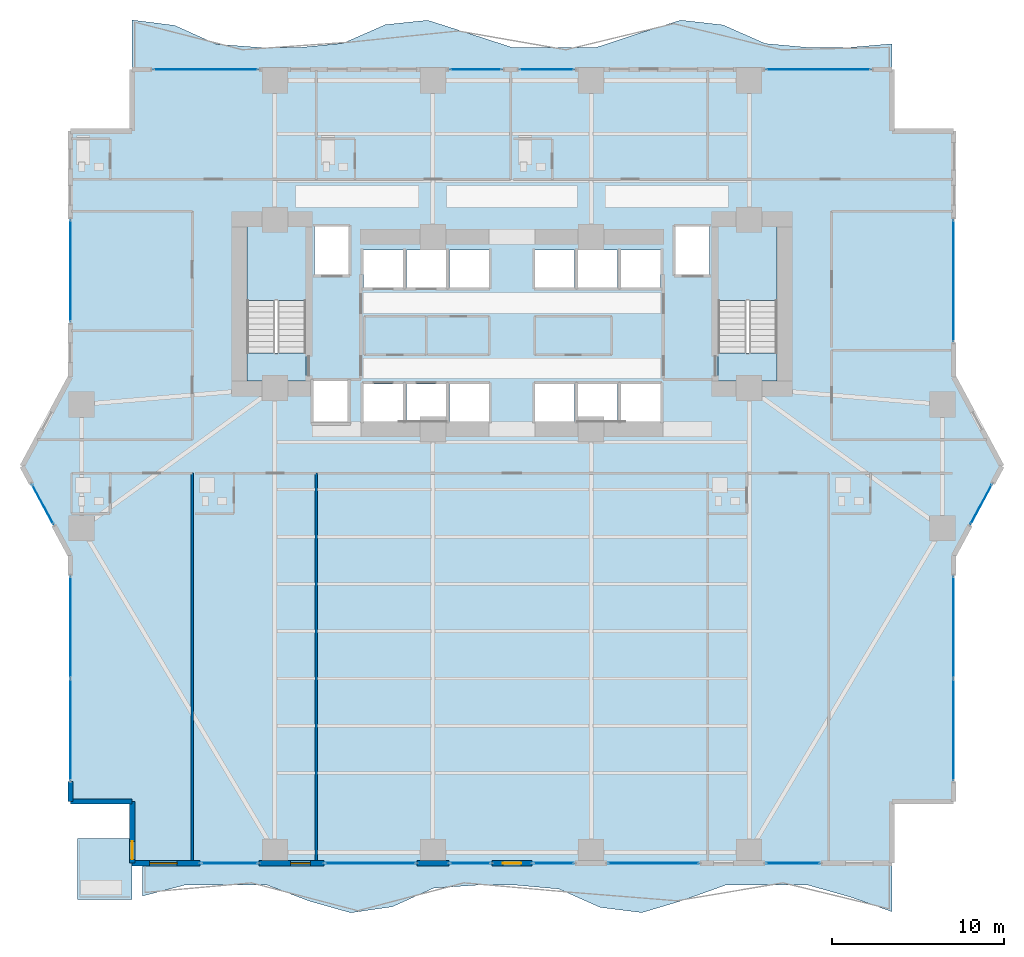
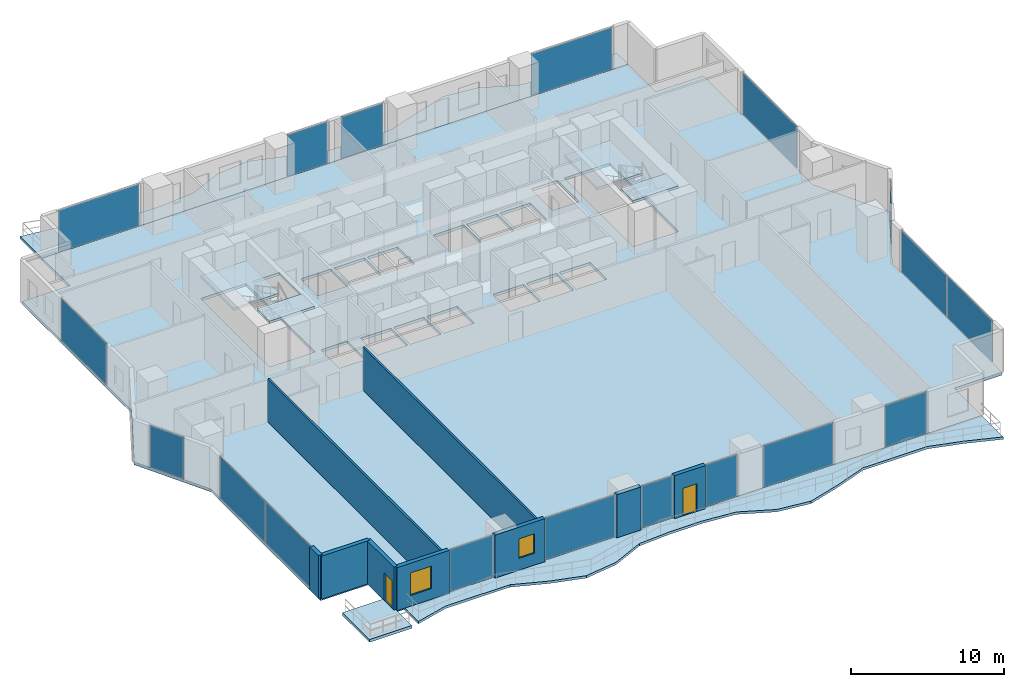
# One storey, part 18 of 28: 18 plates, 9 walls, 8 slabs, 2 doors, 2 windows, 4 openings, 18 elements without a shape of their own.
"""IFC4 building model written with IfcOpenShell, lengths in metres."""

from ifc_helpers import new_model, si_unit, direction, frame, frame_2d, origin, origin_2d, place, context, subcontext, project, spatial, polyline, rectangle, outline, extrude, material, layer, layer_set, type_object, element, fill, aggregate, save


model = new_model("IFC4")

# Units and contexts
model_context = context("Model", 3, precision=1e-05, world=origin(), true_north=direction((0.0, 1.0)))
body_context = subcontext(model_context, "Body", "Model", "MODEL_VIEW")
ifc_project = project(units=[si_unit("LENGTHUNIT", "METRE"), si_unit("AREAUNIT", "SQUARE_METRE"), si_unit("VOLUMEUNIT", "CUBIC_METRE"), si_unit("PLANEANGLEUNIT", "RADIAN"), si_unit("MASSUNIT", "GRAM", prefix="KILO")], contexts=[model_context])

# Site, building, storey
site_placement = place(None, origin())
site = spatial("IfcSite", under=ifc_project, at=site_placement, CompositionType="ELEMENT")
building_placement = place(site_placement, origin())
building = spatial("IfcBuilding", under=site, at=building_placement, Name="Zuhayl Quay Hotel", CompositionType="ELEMENT")
storey_placement = place(building_placement, frame((0.0, 0.0, 78.699951171875)))
storey = spatial("IfcBuildingStorey", under=building, at=storey_placement, Name="L19", CompositionType="ELEMENT", Elevation=78.699951171875)

# Curtain wall, plates
ifc_material_1 = material(Name="Anodised Aluminium 6063-T6", Category="aluminium")
ifc_layer_1 = layer(ifc_material_1, 0.18994140625, Name="Anodised Aluminium 6063-T6", Category="aluminium")
ifc_layer_set_1 = layer_set([ifc_layer_1], Name="Anodised Aluminium 6063-T6")
curtain_wall_type = type_object("IfcCurtainWallType", Name="CW_SYS_Z1", PredefinedType="USERDEFINED", material=ifc_layer_set_1)
curtain_wall_1_placement = place(storey_placement, origin())
curtain_wall_1 = element("IfcCurtainWall", 1, at=curtain_wall_1_placement, inside=storey, type_object=curtain_wall_type, Name="L19 Curtain Wall ENV_L19_E02_CW1", ObjectType="UNITISED CURTAIN WALL", PredefinedType="USERDEFINED")
ifc_material_2 = material(Name="Dark Ceramic-Fritted Solar Glass", Category="glass")
ifc_layer_2 = layer(ifc_material_2, 0.035888671875, Name="Dark Ceramic-Fritted Solar Glass", Category="glass")
ifc_layer_set_2 = layer_set([ifc_layer_2], Name="Dark Ceramic-Fritted Solar Glass")
plate_type = type_object("IfcPlateType", Name="PN_DARK_FRIT_Z1", PredefinedType="CURTAIN_PANEL", material=ifc_layer_set_2)
plate_1_placement = place(storey_placement, frame((-25.699951171875, -15.331298828125, 0.06005859375), z_axis=(0.0, 0.0, 1.0), x_axis=(0.0, 1.0, 0.0)))
plate_1 = element("IfcPlate", 2, at=plate_1_placement, type_object=plate_type, Name="CW-Z1 panel 1.1", PredefinedType="CURTAIN_PANEL", context=body_context, shape_type="SweptSolid", body=[
    extrude(rectangle(XDim=5.887451171875, YDim=0.035888671875, at=origin_2d()), origin(), (0.0, 0.0, 1.0), 3.31005859375),
])
plate_2_placement = place(storey_placement, frame((-25.699951171875, -9.36865234375, 0.06005859375), z_axis=(0.0, 0.0, 1.0), x_axis=(0.0, 1.0, 0.0)))
plate_2 = element("IfcPlate", 3, at=plate_2_placement, type_object=plate_type, Name="CW-Z1 panel 2.1", PredefinedType="CURTAIN_PANEL", context=body_context, shape_type="SweptSolid", body=[
    extrude(rectangle(XDim=5.887451171875, YDim=0.035888671875, at=origin_2d()), origin(), (0.0, 0.0, 1.0), 3.31005859375),
])
aggregate(curtain_wall_1, [plate_1, plate_2])

# Curtain wall, plate
curtain_wall_2_placement = place(storey_placement, origin())
curtain_wall_2 = element("IfcCurtainWall", 4, at=curtain_wall_2_placement, inside=storey, type_object=curtain_wall_type, Name="L19 Curtain Wall ENV_L19_E03_CW1", ObjectType="UNITISED CURTAIN WALL", PredefinedType="USERDEFINED")
plate_3_placement = place(storey_placement, frame((-27.306396484375, -2.216796875, 0.06005859375), z_axis=(0.0, 0.0, 1.0), x_axis=(-0.474091102632, 0.880475795468, 0.0)))
plate_3 = element("IfcPlate", 5, at=plate_3_placement, type_object=plate_type, Name="CW-Z1 panel 1.1", PredefinedType="CURTAIN_PANEL", context=body_context, shape_type="SweptSolid", body=[
    extrude(rectangle(XDim=2.58544921875, YDim=0.035888671875, at=origin_2d()), origin(), (0.0, 0.0, 1.0), 3.31005859375),
])
aggregate(curtain_wall_2, [plate_3])

curtain_wall_3_placement = place(storey_placement, origin())
curtain_wall_3 = element("IfcCurtainWall", 6, at=curtain_wall_3_placement, inside=storey, type_object=curtain_wall_type, Name="L19 Curtain Wall ENV_L19_E05_CW1", ObjectType="UNITISED CURTAIN WALL", PredefinedType="USERDEFINED")
plate_4_placement = place(storey_placement, frame((-25.699951171875, 11.375, 0.06005859375), z_axis=(0.0, 0.0, 1.0), x_axis=(0.0, 1.0, 0.0)))
plate_4 = element("IfcPlate", 7, at=plate_4_placement, type_object=plate_type, Name="CW-Z1 panel 1.1", PredefinedType="CURTAIN_PANEL", context=body_context, shape_type="SweptSolid", body=[
    extrude(rectangle(XDim=5.89990234375, YDim=0.035888671875, at=origin_2d()), origin(), (0.0, 0.0, 1.0), 3.31005859375),
])
aggregate(curtain_wall_3, [plate_4])

curtain_wall_4_placement = place(storey_placement, origin())
curtain_wall_4 = element("IfcCurtainWall", 8, at=curtain_wall_4_placement, inside=storey, type_object=curtain_wall_type, Name="L19 Curtain Wall ENV_L19_N_CW1", ObjectType="UNITISED CURTAIN WALL", PredefinedType="USERDEFINED")
plate_5_placement = place(storey_placement, frame((-17.8349609375, 23.10009765625, 0.06005859375), z_axis=(0.0, 0.0, 1.0), x_axis=(1.0, 0.0, 0.0)))
plate_5 = element("IfcPlate", 9, at=plate_5_placement, type_object=plate_type, Name="CW-Z1 panel 1.1", PredefinedType="CURTAIN_PANEL", context=body_context, shape_type="SweptSolid", body=[
    extrude(rectangle(XDim=6.080078125, YDim=0.035888671875, at=origin_2d()), origin(), (0.0, 0.0, 1.0), 3.31005859375),
])
aggregate(curtain_wall_4, [plate_5])

curtain_wall_5_placement = place(storey_placement, origin())
curtain_wall_5 = element("IfcCurtainWall", 10, at=curtain_wall_5_placement, inside=storey, type_object=curtain_wall_type, Name="L19 Curtain Wall ENV_L19_N_CW2", ObjectType="UNITISED CURTAIN WALL", PredefinedType="USERDEFINED")
plate_6_placement = place(storey_placement, frame((-2.10498046875, 23.10009765625, 0.06005859375), z_axis=(0.0, 0.0, 1.0), x_axis=(1.0, 0.0, 0.0)))
plate_6 = element("IfcPlate", 11, at=plate_6_placement, type_object=plate_type, Name="CW-Z1 panel 1.1", PredefinedType="CURTAIN_PANEL", context=body_context, shape_type="SweptSolid", body=[
    extrude(rectangle(XDim=3.0, YDim=0.035888671875, at=origin_2d()), origin(), (0.0, 0.0, 1.0), 3.31005859375),
])
aggregate(curtain_wall_5, [plate_6])

curtain_wall_6_placement = place(storey_placement, origin())
curtain_wall_6 = element("IfcCurtainWall", 12, at=curtain_wall_6_placement, inside=storey, type_object=curtain_wall_type, Name="L19 Curtain Wall ENV_L19_N_CW3", ObjectType="UNITISED CURTAIN WALL", PredefinedType="USERDEFINED")
plate_7_placement = place(storey_placement, frame((2.02490234375, 23.10009765625, 0.06005859375), z_axis=(0.0, 0.0, 1.0), x_axis=(1.0, 0.0, 0.0)))
plate_7 = element("IfcPlate", 13, at=plate_7_placement, type_object=plate_type, Name="CW-Z1 panel 1.1", PredefinedType="CURTAIN_PANEL", context=body_context, shape_type="SweptSolid", body=[
    extrude(rectangle(XDim=3.159912109375, YDim=0.035888671875, at=origin_2d()), origin(), (0.0, 0.0, 1.0), 3.31005859375),
])
aggregate(curtain_wall_6, [plate_7])

curtain_wall_7_placement = place(storey_placement, origin())
curtain_wall_7 = element("IfcCurtainWall", 14, at=curtain_wall_7_placement, inside=storey, type_object=curtain_wall_type, Name="L19 Curtain Wall ENV_L19_N_CW4", ObjectType="UNITISED CURTAIN WALL", PredefinedType="USERDEFINED")
plate_8_placement = place(storey_placement, frame((17.8349609375, 23.10009765625, 0.06005859375), z_axis=(0.0, 0.0, 1.0), x_axis=(1.0, 0.0, 0.0)))
plate_8 = element("IfcPlate", 15, at=plate_8_placement, type_object=plate_type, Name="CW-Z1 panel 1.1", PredefinedType="CURTAIN_PANEL", context=body_context, shape_type="SweptSolid", body=[
    extrude(rectangle(XDim=6.080078125, YDim=0.035888671875, at=origin_2d()), origin(), (0.0, 0.0, 1.0), 3.31005859375),
])
aggregate(curtain_wall_7, [plate_8])

curtain_wall_8_placement = place(storey_placement, origin())
curtain_wall_8 = element("IfcCurtainWall", 16, at=curtain_wall_8_placement, inside=storey, type_object=curtain_wall_type, Name="L19 Curtain Wall ENV_L19_E11_CW1", ObjectType="UNITISED CURTAIN WALL", PredefinedType="USERDEFINED")
plate_9_placement = place(storey_placement, frame((25.699951171875, 10.800048828125, 0.06005859375), z_axis=(0.0, 0.0, 1.0), x_axis=(0.0, -1.0, 0.0)))
plate_9 = element("IfcPlate", 17, at=plate_9_placement, type_object=plate_type, Name="CW-Z1 panel 1.1", PredefinedType="CURTAIN_PANEL", context=body_context, shape_type="SweptSolid", body=[
    extrude(rectangle(XDim=7.050048828125, YDim=0.035888671875, at=origin_2d()), origin(), (0.0, 0.0, 1.0), 3.31005859375),
])
aggregate(curtain_wall_8, [plate_9])

curtain_wall_9_placement = place(storey_placement, origin())
curtain_wall_9 = element("IfcCurtainWall", 18, at=curtain_wall_9_placement, inside=storey, type_object=curtain_wall_type, Name="L19 Curtain Wall ENV_L19_E13_CW1", ObjectType="UNITISED CURTAIN WALL", PredefinedType="USERDEFINED")
plate_10_placement = place(storey_placement, frame((27.306396484375, -2.216796875, 0.06005859375), z_axis=(0.0, 0.0, 1.0), x_axis=(-0.474091102632, -0.880475795468, 0.0)))
plate_10 = element("IfcPlate", 19, at=plate_10_placement, type_object=plate_type, Name="CW-Z1 panel 1.1", PredefinedType="CURTAIN_PANEL", context=body_context, shape_type="SweptSolid", body=[
    extrude(rectangle(XDim=2.58544921875, YDim=0.035888671875, at=origin_2d()), origin(), (0.0, 0.0, 1.0), 3.31005859375),
])
aggregate(curtain_wall_9, [plate_10])

# Curtain wall, plates
curtain_wall_10_placement = place(storey_placement, origin())
curtain_wall_10 = element("IfcCurtainWall", 20, at=curtain_wall_10_placement, inside=storey, type_object=curtain_wall_type, Name="L19 Curtain Wall ENV_L19_E14_CW1", ObjectType="UNITISED CURTAIN WALL", PredefinedType="USERDEFINED")
plate_11_placement = place(storey_placement, frame((25.699951171875, -9.36865234375, 0.06005859375), z_axis=(0.0, 0.0, 1.0), x_axis=(0.0, -1.0, 0.0)))
plate_11 = element("IfcPlate", 21, at=plate_11_placement, type_object=plate_type, Name="CW-Z1 panel 1.1", PredefinedType="CURTAIN_PANEL", context=body_context, shape_type="SweptSolid", body=[
    extrude(rectangle(XDim=5.887451171875, YDim=0.035888671875, at=origin_2d()), origin(), (0.0, 0.0, 1.0), 3.31005859375),
])
plate_12_placement = place(storey_placement, frame((25.699951171875, -15.331298828125, 0.06005859375), z_axis=(0.0, 0.0, 1.0), x_axis=(0.0, -1.0, 0.0)))
plate_12 = element("IfcPlate", 22, at=plate_12_placement, type_object=plate_type, Name="CW-Z1 panel 2.1", PredefinedType="CURTAIN_PANEL", context=body_context, shape_type="SweptSolid", body=[
    extrude(rectangle(XDim=5.887451171875, YDim=0.035888671875, at=origin_2d()), origin(), (0.0, 0.0, 1.0), 3.31005859375),
])
aggregate(curtain_wall_10, [plate_11, plate_12])

# Curtain wall, plate
curtain_wall_11_placement = place(storey_placement, origin())
curtain_wall_11 = element("IfcCurtainWall", 23, at=curtain_wall_11_placement, inside=storey, type_object=curtain_wall_type, Name="L19 Curtain Wall ENV_L19_S_CW1", ObjectType="UNITISED CURTAIN WALL", PredefinedType="USERDEFINED")
plate_13_placement = place(storey_placement, frame((16.35498046875, -23.10009765625, 0.06005859375), z_axis=(0.0, 0.0, 1.0), x_axis=(-1.0, 0.0, 0.0)))
plate_13 = element("IfcPlate", 24, at=plate_13_placement, type_object=plate_type, Name="CW-Z1 panel 1.1", PredefinedType="CURTAIN_PANEL", context=body_context, shape_type="SweptSolid", body=[
    extrude(rectangle(XDim=3.1201171875, YDim=0.035888671875, at=origin_2d()), origin(), (0.0, 0.0, 1.0), 3.31005859375),
])
aggregate(curtain_wall_11, [plate_13])

curtain_wall_12_placement = place(storey_placement, origin())
curtain_wall_12 = element("IfcCurtainWall", 25, at=curtain_wall_12_placement, inside=storey, type_object=curtain_wall_type, Name="L19 Curtain Wall ENV_L19_S_CW2", ObjectType="UNITISED CURTAIN WALL", PredefinedType="USERDEFINED")
plate_14_placement = place(storey_placement, frame((8.235107421875, -23.10009765625, 0.06005859375), z_axis=(0.0, 0.0, 1.0), x_axis=(-1.0, 0.0, 0.0)))
plate_14 = element("IfcPlate", 26, at=plate_14_placement, type_object=plate_type, Name="CW-Z1 panel 1.1", PredefinedType="CURTAIN_PANEL", context=body_context, shape_type="SweptSolid", body=[
    extrude(rectangle(XDim=5.280029296875, YDim=0.035888671875, at=origin_2d()), origin(), (0.0, 0.0, 1.0), 3.31005859375),
])
aggregate(curtain_wall_12, [plate_14])

curtain_wall_13_placement = place(storey_placement, origin())
curtain_wall_13 = element("IfcCurtainWall", 27, at=curtain_wall_13_placement, inside=storey, type_object=curtain_wall_type, Name="L19 Curtain Wall ENV_L19_S_CW3", ObjectType="UNITISED CURTAIN WALL", PredefinedType="USERDEFINED")
plate_15_placement = place(storey_placement, frame((2.427490234375, -23.10009765625, 0.06005859375), z_axis=(0.0, 0.0, 1.0), x_axis=(-1.0, 0.0, 0.0)))
plate_15 = element("IfcPlate", 28, at=plate_15_placement, type_object=plate_type, Name="CW-Z1 panel 1.1", PredefinedType="CURTAIN_PANEL", context=body_context, shape_type="SweptSolid", body=[
    extrude(rectangle(XDim=2.35498046875, YDim=0.035888671875, at=origin_2d()), origin(), (0.0, 0.0, 1.0), 3.31005859375),
])
aggregate(curtain_wall_13, [plate_15])

curtain_wall_14_placement = place(storey_placement, origin())
curtain_wall_14 = element("IfcCurtainWall", 29, at=curtain_wall_14_placement, inside=storey, type_object=curtain_wall_type, Name="L19 Curtain Wall ENV_L19_S_CW4", ObjectType="UNITISED CURTAIN WALL", PredefinedType="USERDEFINED")
plate_16_placement = place(storey_placement, frame((-2.427490234375, -23.10009765625, 0.06005859375), z_axis=(0.0, 0.0, 1.0), x_axis=(-1.0, 0.0, 0.0)))
plate_16 = element("IfcPlate", 30, at=plate_16_placement, type_object=plate_type, Name="CW-Z1 panel 1.1", PredefinedType="CURTAIN_PANEL", context=body_context, shape_type="SweptSolid", body=[
    extrude(rectangle(XDim=2.35498046875, YDim=0.035888671875, at=origin_2d()), origin(), (0.0, 0.0, 1.0), 3.31005859375),
])
aggregate(curtain_wall_14, [plate_16])

curtain_wall_15_placement = place(storey_placement, origin())
curtain_wall_15 = element("IfcCurtainWall", 31, at=curtain_wall_15_placement, inside=storey, type_object=curtain_wall_type, Name="L19 Curtain Wall ENV_L19_S_CW5", ObjectType="UNITISED CURTAIN WALL", PredefinedType="USERDEFINED")
plate_17_placement = place(storey_placement, frame((-8.235107421875, -23.10009765625, 0.06005859375), z_axis=(0.0, 0.0, 1.0), x_axis=(-1.0, 0.0, 0.0)))
plate_17 = element("IfcPlate", 32, at=plate_17_placement, type_object=plate_type, Name="CW-Z1 panel 1.1", PredefinedType="CURTAIN_PANEL", context=body_context, shape_type="SweptSolid", body=[
    extrude(rectangle(XDim=5.280029296875, YDim=0.035888671875, at=origin_2d()), origin(), (0.0, 0.0, 1.0), 3.31005859375),
])
aggregate(curtain_wall_15, [plate_17])

curtain_wall_16_placement = place(storey_placement, origin())
curtain_wall_16 = element("IfcCurtainWall", 33, at=curtain_wall_16_placement, inside=storey, type_object=curtain_wall_type, Name="L19 Curtain Wall ENV_L19_S_CW6", ObjectType="UNITISED CURTAIN WALL", PredefinedType="USERDEFINED")
plate_18_placement = place(storey_placement, frame((-16.43505859375, -23.10009765625, 0.06005859375), z_axis=(0.0, 0.0, 1.0), x_axis=(-1.0, 0.0, 0.0)))
plate_18 = element("IfcPlate", 34, at=plate_18_placement, type_object=plate_type, Name="CW-Z1 panel 1.1", PredefinedType="CURTAIN_PANEL", context=body_context, shape_type="SweptSolid", body=[
    extrude(rectangle(XDim=3.280029296875, YDim=0.035888671875, at=origin_2d()), origin(), (0.0, 0.0, 1.0), 3.31005859375),
])
aggregate(curtain_wall_16, [plate_18])

# Slabs
ifc_material_3 = material(Name="Concrete C45/55", Category="concrete")
ifc_layer_3 = layer(ifc_material_3, 0.195068359375, Name="Concrete C45/55", Category="concrete")
ifc_layer_set_3 = layer_set([ifc_layer_3], Name="Concrete C45/55")
slab_type_1 = type_object("IfcSlabType", Name="SL_BALCONY_195", PredefinedType="FLOOR", material=ifc_layer_set_3)
slab_1_placement = place(storey_placement, frame((0.0, 0.0, -0.195068359375)))
element("IfcSlab", 35, at=slab_1_placement, inside=storey, type_object=slab_type_1, Name="L19 Exterior Rippling Balcony Slab North", PredefinedType="FLOOR", context=body_context, shape_type="SweptSolid", body=[
    extrude(outline(polyline([(-22.10009765625, 23.10009765625), (22.10009765625, 23.10009765625), (22.10009765625, 24.5869140625), (19.644287109375, 24.3798828125), (17.18896484375, 24.3798828125), (14.7333984375, 24.60302734375), (12.27783203125, 25.686279296875), (9.822265625, 25.964111328125), (7.36669921875, 25.197998046875), (4.9111328125, 24.3798828125), (2.45556640625, 24.3798828125), (0.0, 24.3798828125), (-2.45556640625, 25.177490234375), (-4.9111328125, 25.958740234375), (-7.36669921875, 25.700439453125), (-9.822265625, 24.624755859375), (-12.27783203125, 24.3798828125), (-14.7333984375, 24.3798828125), (-17.18896484375, 24.565185546875), (-19.644287109375, 25.660400390625), (-22.10009765625, 25.97265625), (-22.10009765625, 23.10009765625)])), origin(), (0.0, 0.0, 1.0), 0.195068359375),
])
slab_2_placement = place(storey_placement, frame((0.0, 0.0, -0.195068359375)))
element("IfcSlab", 36, at=slab_2_placement, inside=storey, type_object=slab_type_1, Name="L19 Exterior Rippling Balcony Slab South", PredefinedType="FLOOR", context=body_context, shape_type="SweptSolid", body=[
    extrude(outline(polyline([(-21.5, -25.010009765625), (-19.077880859375, -24.3798828125), (-16.655517578125, -24.3798828125), (-14.2333984375, -24.3798828125), (-11.81103515625, -25.298095703125), (-9.388916015625, -25.98291015625), (-6.966796875, -25.6337890625), (-4.54443359375, -24.543701171875), (-2.122314453125, -24.3798828125), (0.300048828125, -24.3798828125), (2.72216796875, -24.59765625), (5.144287109375, -25.671630859375), (7.566650390625, -25.97265625), (9.989013671875, -25.248291015625), (12.4111328125, -24.3798828125), (14.833251953125, -24.3798828125), (17.255615234375, -24.3798828125), (19.677734375, -25.06298828125), (22.10009765625, -25.9169921875), (22.10009765625, -23.10009765625), (-21.5, -23.10009765625), (-21.5, -25.010009765625)])), origin(), (0.0, 0.0, 1.0), 0.195068359375),
])
ifc_layer_4 = layer(ifc_material_3, 0.219970703125, Name="Concrete C45/55", Category="concrete")
ifc_layer_set_4 = layer_set([ifc_layer_4], Name="Concrete C45/55")
slab_type_2 = type_object("IfcSlabType", Name="SL_FLOOR_220", PredefinedType="FLOOR", material=ifc_layer_set_4)
slab_3_placement = place(storey_placement, frame((0.0, 0.0, -0.219970703125)))
element("IfcSlab", 37, at=slab_3_placement, inside=storey, type_object=slab_type_2, Name="L19 Structural Floor Slab", PredefinedType="FLOOR", context=body_context, shape_type="SweptSolid", body=[
    extrude(outline(polyline([(-22.10009765625, -23.10009765625), (22.10009765625, -23.10009765625), (22.10009765625, -19.5), (25.699951171875, -19.5), (25.699951171875, -5.199951171875), (28.5, 0.0), (25.699951171875, 5.199951171875), (25.699951171875, 19.5), (22.10009765625, 19.5), (22.10009765625, 23.10009765625), (-22.10009765625, 23.10009765625), (-22.10009765625, 19.5), (-25.699951171875, 19.5), (-25.699951171875, 5.199951171875), (-28.5, 0.0), (-25.699951171875, -5.199951171875), (-25.699951171875, -19.5), (-22.10009765625, -19.5), (-22.10009765625, -23.10009765625)]), holes=[polyline([(-12.0, 4.949951171875), (-12.0, 13.949951171875), (-15.429931640625, 13.949951171875), (-15.429931640625, 4.949951171875), (-12.0, 4.949951171875)]), polyline([(15.429931640625, 4.949951171875), (15.429931640625, 13.949951171875), (12.0, 13.949951171875), (12.0, 4.949951171875), (15.429931640625, 4.949951171875)]), polyline([(-11.5, 11.14990234375), (-9.5, 11.14990234375), (-9.5, 13.949951171875), (-11.5, 13.949951171875), (-11.5, 11.14990234375)]), polyline([(9.5, 11.14990234375), (11.5, 11.14990234375), (11.5, 13.949951171875), (9.5, 13.949951171875), (9.5, 11.14990234375)]), polyline([(-8.64990234375, 2.60009765625), (-6.35009765625, 2.60009765625), (-6.35009765625, 4.800048828125), (-8.64990234375, 4.800048828125), (-8.64990234375, 2.60009765625)]), polyline([(-6.14990234375, 2.60009765625), (-3.85009765625, 2.60009765625), (-3.85009765625, 4.800048828125), (-6.14990234375, 4.800048828125), (-6.14990234375, 2.60009765625)]), polyline([(-8.64990234375, 10.39990234375), (-6.35009765625, 10.39990234375), (-6.35009765625, 12.60009765625), (-8.64990234375, 12.60009765625), (-8.64990234375, 10.39990234375)]), polyline([(-6.14990234375, 10.39990234375), (-3.85009765625, 10.39990234375), (-3.85009765625, 12.60009765625), (-6.14990234375, 12.60009765625), (-6.14990234375, 10.39990234375)]), polyline([(-3.64990234375, 2.60009765625), (-1.35009765625, 2.60009765625), (-1.35009765625, 4.800048828125), (-3.64990234375, 4.800048828125), (-3.64990234375, 2.60009765625)]), polyline([(1.35009765625, 2.60009765625), (3.64990234375, 2.60009765625), (3.64990234375, 4.800048828125), (1.35009765625, 4.800048828125), (1.35009765625, 2.60009765625)]), polyline([(-3.64990234375, 10.39990234375), (-1.35009765625, 10.39990234375), (-1.35009765625, 12.60009765625), (-3.64990234375, 12.60009765625), (-3.64990234375, 10.39990234375)]), polyline([(1.35009765625, 10.39990234375), (3.64990234375, 10.39990234375), (3.64990234375, 12.60009765625), (1.35009765625, 12.60009765625), (1.35009765625, 10.39990234375)]), polyline([(3.85009765625, 2.60009765625), (6.14990234375, 2.60009765625), (6.14990234375, 4.800048828125), (3.85009765625, 4.800048828125), (3.85009765625, 2.60009765625)]), polyline([(6.35009765625, 2.60009765625), (8.64990234375, 2.60009765625), (8.64990234375, 4.800048828125), (6.35009765625, 4.800048828125), (6.35009765625, 2.60009765625)]), polyline([(3.85009765625, 10.39990234375), (6.14990234375, 10.39990234375), (6.14990234375, 12.60009765625), (3.85009765625, 12.60009765625), (3.85009765625, 10.39990234375)]), polyline([(6.35009765625, 10.39990234375), (8.64990234375, 10.39990234375), (8.64990234375, 12.60009765625), (6.35009765625, 12.60009765625), (6.35009765625, 10.39990234375)]), polyline([(-11.550048828125, 2.550048828125), (-9.550048828125, 2.550048828125), (-9.550048828125, 4.949951171875), (-11.550048828125, 4.949951171875), (-11.550048828125, 2.550048828125)])]), origin(), (0.0, 0.0, 1.0), 0.219970703125),
])

# Stair, slabs
stair_type = type_object("IfcStairType", Name="ST_DOGLEG_TOWER", PredefinedType="HALF_TURN_STAIR", material=ifc_material_3)
stair_1_placement = place(storey_placement, origin())
stair_1 = element("IfcStair", 38, at=stair_1_placement, inside=storey, type_object=stair_type, Name="L19 Smokeproof Exit Stair ST1", PredefinedType="HALF_TURN_STAIR")
ifc_layer_5 = layer(ifc_material_3, 0.199951171875, Name="Concrete C45/55", Category="concrete")
ifc_layer_set_5 = layer_set([ifc_layer_5], Name="Concrete C45/55")
slab_type_3 = type_object("IfcSlabType", Name="SL_STAIR_LANDING_200", PredefinedType="LANDING", material=ifc_layer_set_5)
slab_4_placement = place(storey_placement, frame((0.0, 0.0, 1.625)))
slab_4 = element("IfcSlab", 39, at=slab_4_placement, type_object=slab_type_3, Name="ST1 landing 1", PredefinedType="LANDING", context=body_context, shape_type="SweptSolid", body=[
    extrude(outline(polyline([(-12.0, 9.64990234375), (-12.0, 13.949951171875), (-15.429931640625, 13.949951171875), (-15.429931640625, 9.64990234375), (-12.0, 9.64990234375)])), origin(), (0.0, 0.0, 1.0), 0.199951171875),
])
slab_5_placement = place(storey_placement, frame((0.0, 0.0, 3.449951171875)))
slab_5 = element("IfcSlab", 40, at=slab_5_placement, type_object=slab_type_3, Name="ST1 landing 2", PredefinedType="LANDING", context=body_context, shape_type="SweptSolid", body=[
    extrude(outline(polyline([(-12.0, 4.949951171875), (-12.0, 6.590087890625), (-15.429931640625, 6.590087890625), (-15.429931640625, 4.949951171875), (-12.0, 4.949951171875)])), origin(), (0.0, 0.0, 1.0), 0.2001953125),
])
aggregate(stair_1, [slab_4, slab_5])

stair_2_placement = place(storey_placement, origin())
stair_2 = element("IfcStair", 41, at=stair_2_placement, inside=storey, type_object=stair_type, Name="L19 Smokeproof Exit Stair ST2", PredefinedType="HALF_TURN_STAIR")
slab_6_placement = place(storey_placement, frame((0.0, 0.0, 1.625)))
slab_6 = element("IfcSlab", 42, at=slab_6_placement, type_object=slab_type_3, Name="ST2 landing 1", PredefinedType="LANDING", context=body_context, shape_type="SweptSolid", body=[
    extrude(outline(polyline([(15.429931640625, 9.64990234375), (15.429931640625, 13.949951171875), (12.0, 13.949951171875), (12.0, 9.64990234375), (15.429931640625, 9.64990234375)])), origin(), (0.0, 0.0, 1.0), 0.199951171875),
])
slab_7_placement = place(storey_placement, frame((0.0, 0.0, 3.449951171875)))
slab_7 = element("IfcSlab", 43, at=slab_7_placement, type_object=slab_type_3, Name="ST2 landing 2", PredefinedType="LANDING", context=body_context, shape_type="SweptSolid", body=[
    extrude(outline(polyline([(15.429931640625, 4.949951171875), (15.429931640625, 6.590087890625), (12.0, 6.590087890625), (12.0, 4.949951171875), (15.429931640625, 4.949951171875)])), origin(), (0.0, 0.0, 1.0), 0.2001953125),
])
aggregate(stair_2, [slab_6, slab_7])

# Slab
ifc_layer_6 = layer(ifc_material_3, 0.219970703125, Name="Concrete C45/55", Category="concrete")
ifc_layer_set_6 = layer_set([ifc_layer_6], Name="Concrete C45/55")
slab_type_4 = type_object("IfcSlabType", Name="SL_TERRACE_235", PredefinedType="FLOOR", material=ifc_layer_set_6)
slab_8_placement = place(storey_placement, frame((0.0, 0.0, -0.219970703125)))
element("IfcSlab", 44, at=slab_8_placement, inside=storey, type_object=slab_type_4, Name="L19 Exterior Sky-Terrace Slab L19_SPIRAL_SW", PredefinedType="FLOOR", context=body_context, shape_type="SweptSolid", body=[
    extrude(outline(polyline([(-25.300048828125, -25.199951171875), (-22.10009765625, -25.199951171875), (-22.10009765625, -21.64990234375), (-25.300048828125, -21.64990234375), (-25.300048828125, -25.199951171875)])), origin(), (0.0, 0.0, 1.0), 0.219970703125),
])

# Walls
ifc_material_4 = material(Name="Precast concrete C45/55", Category="concrete")
ifc_layer_7 = layer(ifc_material_4, 0.300048828125, Name="Precast concrete C45/55", Category="concrete")
ifc_layer_set_7 = layer_set([ifc_layer_7], Name="Precast concrete C45/55")
wall_type_1 = type_object("IfcWallType", Name="WL_EXT_300", PredefinedType="STANDARD", material=ifc_layer_set_7)
wall_1_placement = place(storey_placement, frame((-22.10009765625, -19.5, 0.0), z_axis=(0.0, 0.0, 1.0), x_axis=(-1.0, 0.0, 0.0)))
element("IfcWall", 45, at=wall_1_placement, inside=storey, type_object=wall_type_1, Name="L19 Exterior Precast Wall ENV_L19_EW01", PredefinedType="STANDARD", context=body_context, shape_type="SweptSolid", body=[
    extrude(rectangle(XDim=3.599853515625, YDim=0.300048828125, at=frame_2d((1.7998046875, 0.0))), origin(), (0.0, 0.0, 1.0), 3.429931640625),
])
wall_2_placement = place(storey_placement, frame((-25.699951171875, -19.5, 0.0), z_axis=(0.0, 0.0, 1.0), x_axis=(0.0, 1.0, 0.0)))
element("IfcWall", 46, at=wall_2_placement, inside=storey, type_object=wall_type_1, Name="L19 Exterior Precast Wall ENV_L19_E02_EW1", PredefinedType="STANDARD", context=body_context, shape_type="SweptSolid", body=[
    extrude(rectangle(XDim=1.14990234375, YDim=0.300048828125, at=frame_2d((0.574951171875, 0.0))), origin(), (0.0, 0.0, 1.0), 3.429931640625),
])

# Wall, opening, door
wall_3_placement = place(storey_placement, frame((1.175048828125, -23.10009765625, 0.0), z_axis=(0.0, 0.0, 1.0), x_axis=(-1.0, 0.0, 0.0)))
wall_3 = element("IfcWall", 47, at=wall_3_placement, inside=storey, type_object=wall_type_1, Name="L19 Exterior Precast Wall ENV_L19_S_EW4", PredefinedType="STANDARD", context=body_context, shape_type="SweptSolid", body=[
    extrude(rectangle(XDim=2.35009765625, YDim=0.300048828125, at=frame_2d((1.175048828125, 0.0))), origin(), (0.0, 0.0, 1.0), 3.429931640625),
])
opening_1_placement = place(wall_3_placement, frame((0.64990234375, 0.0, 0.0)))
opening_1 = element("IfcOpeningElement", 48, at=opening_1_placement, cuts=wall_3, Name="Opening DG1", PredefinedType="OPENING", context=body_context, shape_type="SweptSolid", body=[
    extrude(rectangle(XDim=1.050048828125, YDim=2.199951171875, at=frame_2d((0.52490234375, 1.10009765625))), frame((0.0, 0.159912109375, 0.0), z_axis=(0.0, -1.0, 0.0), x_axis=(1.0, 0.0, 0.0)), (0.0, 0.0, 1.0), 0.320068359375),
])
ifc_material_5 = material(Name="Anodised Aluminium and Dark Solar Glass", Category="aluminium")
door_type = type_object("IfcDoorType", Name="DR_EXT_TERR_1050", OperationType="NOTDEFINED", PredefinedType="DOOR", material=ifc_material_5)
door_1_placement = place(opening_1_placement, origin())
door_1 = element("IfcDoor", 49, at=door_1_placement, inside=storey, type_object=door_type, Name="L19 South Rippling Balcony Door", OperationType="SINGLE_SWING_RIGHT", OverallHeight=2.199951171875, OverallWidth=1.050048828125, PredefinedType="DOOR", context=body_context, shape_type="SweptSolid", body=[
    extrude(rectangle(XDim=1.050048828125, YDim=2.199951171875, at=frame_2d((0.52490234375, 1.10009765625))), frame((0.0, 0.02490234375, 0.0), z_axis=(0.0, -1.0, 0.0), x_axis=(1.0, 0.0, 0.0)), (0.0, 0.0, 1.0), 0.050048828125),
])
fill(opening_1, door_1)

# Wall
wall_4_placement = place(storey_placement, frame((-3.679931640625, -23.10009765625, 0.0), z_axis=(0.0, 0.0, 1.0), x_axis=(-1.0, 0.0, 0.0)))
element("IfcWall", 50, at=wall_4_placement, inside=storey, type_object=wall_type_1, Name="L19 Exterior Precast Wall ENV_L19_S_EW5", PredefinedType="STANDARD", context=body_context, shape_type="SweptSolid", body=[
    extrude(rectangle(XDim=1.840087890625, YDim=0.300048828125, at=frame_2d((0.919921875, 0.0))), origin(), (0.0, 0.0, 1.0), 3.429931640625),
])

# Wall, opening, window
wall_5_placement = place(storey_placement, frame((-10.949951171875, -23.10009765625, 0.0), z_axis=(0.0, 0.0, 1.0), x_axis=(-1.0, 0.0, 0.0)))
wall_5 = element("IfcWall", 51, at=wall_5_placement, inside=storey, type_object=wall_type_1, Name="L19 Exterior Precast Wall ENV_L19_S_EW6", PredefinedType="STANDARD", context=body_context, shape_type="SweptSolid", body=[
    extrude(rectangle(XDim=3.77001953125, YDim=0.300048828125, at=frame_2d((1.885009765625, 0.0))), origin(), (0.0, 0.0, 1.0), 3.429931640625),
])
opening_2_placement = place(wall_5_placement, frame((0.784912109375, 0.0, 0.949951171875)))
opening_2 = element("IfcOpeningElement", 52, at=opening_2_placement, cuts=wall_5, Name="Opening W01N", PredefinedType="OPENING", context=body_context, shape_type="SweptSolid", body=[
    extrude(rectangle(XDim=1.14990234375, YDim=1.550048828125, at=frame_2d((0.574951171875, 0.77490234375))), frame((0.0, 0.159912109375, 0.0), z_axis=(0.0, -1.0, 0.0), x_axis=(1.0, 0.0, 0.0)), (0.0, 0.0, 1.0), 0.320068359375),
])
window_type_1 = type_object("IfcWindowType", Name="WN_NOTCH_1350", PartitioningType="SINGLE_PANEL", PredefinedType="WINDOW", material=ifc_material_2)
window_1_placement = place(opening_2_placement, origin())
window_1 = element("IfcWindow", 53, at=window_1_placement, inside=storey, type_object=window_type_1, Name="L19 Operable Facade Window 6-1", OverallHeight=1.550048828125, OverallWidth=1.14990234375, PartitioningType="SINGLE_PANEL", PredefinedType="WINDOW", context=body_context, shape_type="SweptSolid", body=[
    extrude(rectangle(XDim=1.14990234375, YDim=1.550048828125, at=frame_2d((0.574951171875, 0.77490234375))), frame((0.0, 0.030029296875, 0.0), z_axis=(0.0, -1.0, 0.0), x_axis=(1.0, 0.0, 0.0)), (0.0, 0.0, 1.0), 0.06005859375),
])
fill(opening_2, window_1)

wall_6_placement = place(storey_placement, frame((-18.14990234375, -23.10009765625, 0.0), z_axis=(0.0, 0.0, 1.0), x_axis=(-1.0, 0.0, 0.0)))
wall_6 = element("IfcWall", 54, at=wall_6_placement, inside=storey, type_object=wall_type_1, Name="L19 Exterior Precast Wall ENV_L19_S_EW7", PredefinedType="STANDARD", context=body_context, shape_type="SweptSolid", body=[
    extrude(rectangle(XDim=3.9501953125, YDim=0.300048828125, at=frame_2d((1.97509765625, 0.0))), origin(), (0.0, 0.0, 1.0), 3.429931640625),
])
opening_3_placement = place(wall_6_placement, frame((1.340087890625, 0.0, 0.85009765625)))
opening_3 = element("IfcOpeningElement", 55, at=opening_3_placement, cuts=wall_6, Name="Opening W01", PredefinedType="OPENING", context=body_context, shape_type="SweptSolid", body=[
    extrude(rectangle(XDim=1.60009765625, YDim=1.800048828125, at=frame_2d((0.800048828125, 0.89990234375))), frame((0.0, 0.159912109375, 0.0), z_axis=(0.0, -1.0, 0.0), x_axis=(1.0, 0.0, 0.0)), (0.0, 0.0, 1.0), 0.320068359375),
])
window_type_2 = type_object("IfcWindowType", Name="WN_OPERABLE_1600", PartitioningType="DOUBLE_PANEL_VERTICAL", PredefinedType="WINDOW", material=ifc_material_2)
window_2_placement = place(opening_3_placement, origin())
window_2 = element("IfcWindow", 56, at=window_2_placement, inside=storey, type_object=window_type_2, Name="L19 Operable Facade Window 7-1", OverallHeight=1.800048828125, OverallWidth=1.60009765625, PartitioningType="SINGLE_PANEL", PredefinedType="WINDOW", context=body_context, shape_type="SweptSolid", body=[
    extrude(rectangle(XDim=1.60009765625, YDim=1.800048828125, at=frame_2d((0.800048828125, 0.89990234375))), frame((0.0, 0.030029296875, 0.0), z_axis=(0.0, -1.0, 0.0), x_axis=(1.0, 0.0, 0.0)), (0.0, 0.0, 1.0), 0.06005859375),
])
fill(opening_3, window_2)

# Wall, opening, door
wall_7_placement = place(storey_placement, frame((-22.10009765625, -23.10009765625, 0.0), z_axis=(0.0, 0.0, 1.0), x_axis=(0.0, 1.0, 0.0)))
wall_7 = element("IfcWall", 57, at=wall_7_placement, inside=storey, type_object=wall_type_1, Name="L19 Exterior Precast Wall ENV_L19_SP_SW", PredefinedType="STANDARD", context=body_context, shape_type="SweptSolid", body=[
    extrude(rectangle(XDim=3.60009765625, YDim=0.300048828125, at=frame_2d((1.800048828125, 0.0))), origin(), (0.0, 0.0, 1.0), 3.429931640625),
])
opening_4_placement = place(wall_7_placement, frame((0.219970703125, 0.0, 0.0)))
opening_4 = element("IfcOpeningElement", 58, at=opening_4_placement, cuts=wall_7, Name="Opening DG1", PredefinedType="OPENING", context=body_context, shape_type="SweptSolid", body=[
    extrude(rectangle(XDim=1.050048828125, YDim=2.199951171875, at=frame_2d((0.52490234375, 1.10009765625))), frame((0.0, 0.159912109375, 0.0), z_axis=(0.0, -1.0, 0.0), x_axis=(1.0, 0.0, 0.0)), (0.0, 0.0, 1.0), 0.320068359375),
])
door_2_placement = place(opening_4_placement, origin())
door_2 = element("IfcDoor", 59, at=door_2_placement, inside=storey, type_object=door_type, Name="L19 Spiral Sky-Terrace SW Access Door", OperationType="SINGLE_SWING_LEFT", OverallHeight=2.199951171875, OverallWidth=1.050048828125, PredefinedType="DOOR", context=body_context, shape_type="SweptSolid", body=[
    extrude(rectangle(XDim=1.050048828125, YDim=2.199951171875, at=frame_2d((0.52490234375, 1.10009765625))), frame((0.0, 0.02490234375, 0.0), z_axis=(0.0, -1.0, 0.0), x_axis=(1.0, 0.0, 0.0)), (0.0, 0.0, 1.0), 0.050048828125),
])
fill(opening_4, door_2)

# Walls
ifc_material_6 = material(Name="Acoustic Gypsum Partition STC-58")
ifc_layer_8 = layer(ifc_material_6, 0.14990234375, Name="Acoustic Gypsum Partition STC-58")
ifc_layer_set_8 = layer_set([ifc_layer_8], Name="Acoustic Gypsum Partition STC-58")
wall_type_2 = type_object("IfcWallType", Name="WL_PART_150", PredefinedType="PARTITIONING", material=ifc_layer_set_8)
for number, where, z_axis, x_axis, name in (
    (60, (-18.60009765625, -23.02001953125, 0.0), (0.0, 0.0, 1.0), (0.0, 1.0, 0.0), "L19 Partition IW_L19_SU01A_E"),
    (61, (-11.39990234375, -23.02001953125, 0.0), (0.0, 0.0, 1.0), (0.0, 1.0, 0.0), "L19 Partition IW_L19_SU01B_E"),
):
    element("IfcWall", number, at=place(storey_placement, frame(where, z_axis=z_axis, x_axis=x_axis)), inside=storey, type_object=wall_type_2, Name=name, PredefinedType="PARTITIONING", context=body_context, shape_type="SweptSolid", body=[
        extrude(rectangle(XDim=22.6201171875, YDim=0.14990234375, at=frame_2d((11.31005859375, 0.0))), origin(), (0.0, 0.0, 1.0), 3.429931640625),
    ])

save(model, "model.ifc")
